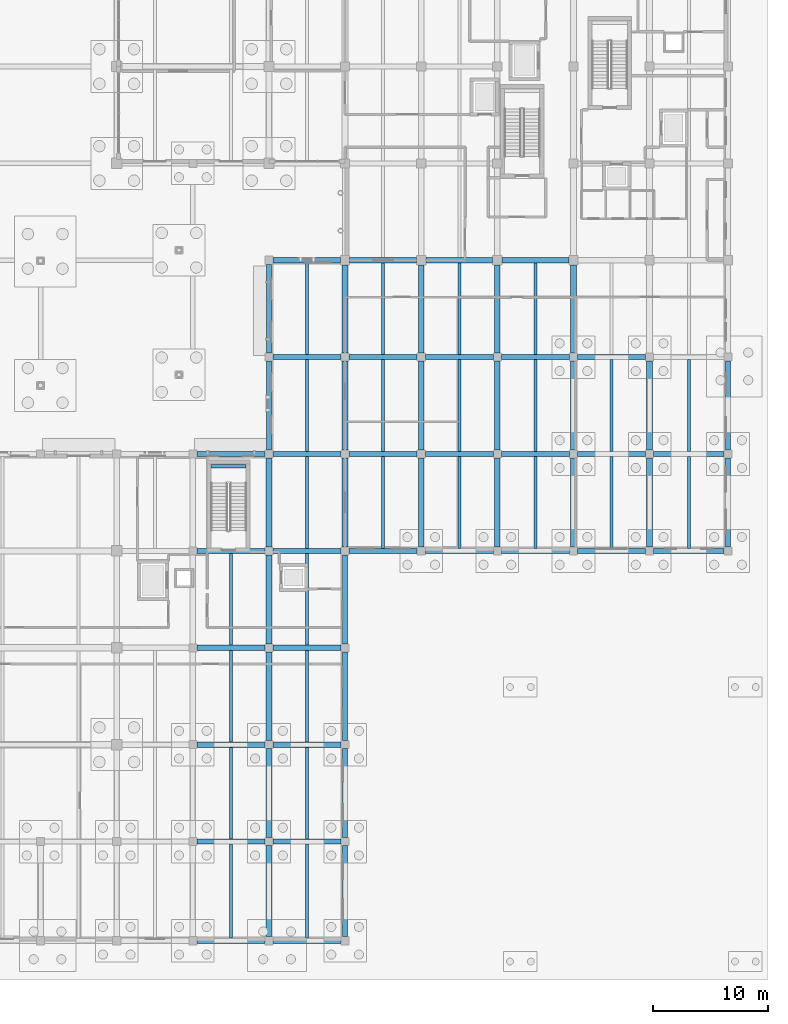
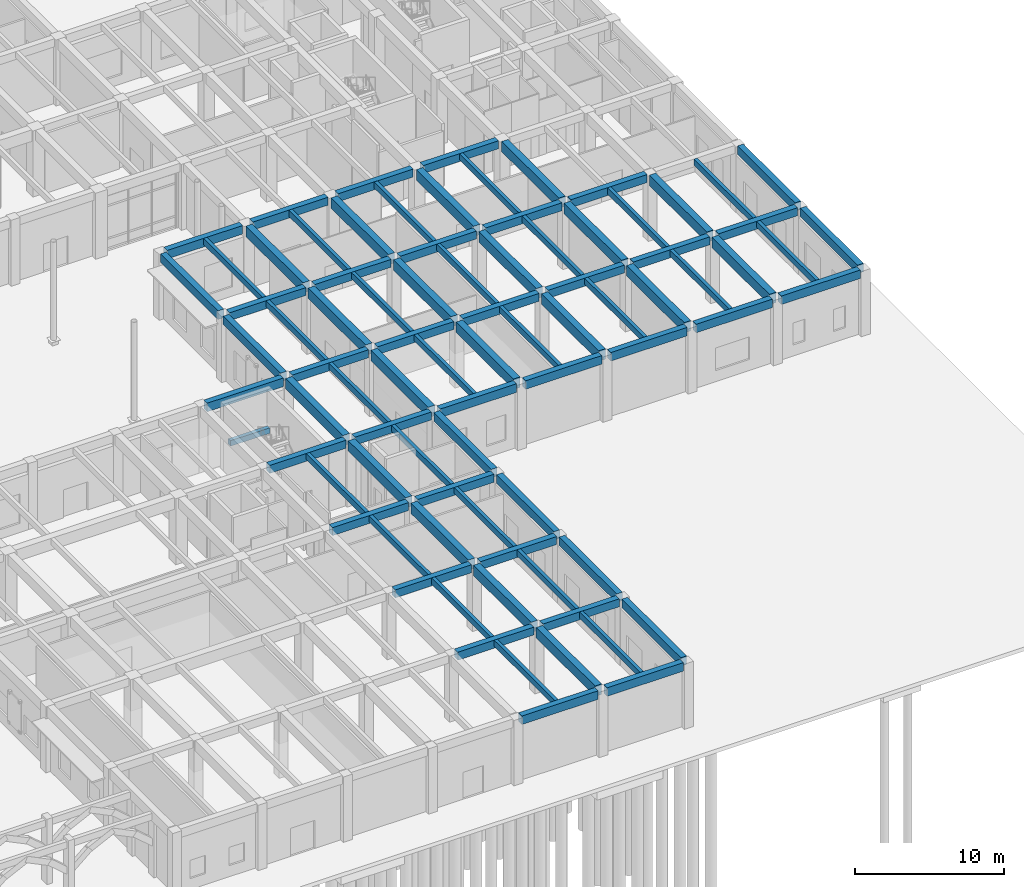
# One storey, part 35 of 82: 83 beams.
"""IFC4 building model written with IfcOpenShell, lengths in metres."""

from ifc_helpers import new_model, si_unit, direction, frame, origin, origin_2d, place, context, subcontext, project, spatial, rectangle, extrude, material, material_profile, profile_set, type_object, element, save


model = new_model("IFC4")

# Units and contexts
model_context = context("Model", 3, precision=1e-05, world=origin(), true_north=direction((0.0, 1.0)))
body_context = subcontext(model_context, "Body", "Model", "MODEL_VIEW")
ifc_project = project(units=[si_unit("LENGTHUNIT", "METRE"), si_unit("AREAUNIT", "SQUARE_METRE"), si_unit("VOLUMEUNIT", "CUBIC_METRE"), si_unit("PLANEANGLEUNIT", "RADIAN"), si_unit("MASSUNIT", "GRAM", prefix="KILO")], contexts=[model_context])

# Site, building, storey
site_placement = place(None, origin())
site = spatial("IfcSite", under=ifc_project, at=site_placement, CompositionType="ELEMENT")
building_placement = place(site_placement, origin())
building = spatial("IfcBuilding", under=site, at=building_placement, Name="Kolvaren Faculty of Natural Sciences", CompositionType="ELEMENT")
storey_placement = place(building_placement, origin())
storey = spatial("IfcBuildingStorey", under=building, at=storey_placement, Name="L00", CompositionType="ELEMENT", Elevation=0.0)

# Beams
ifc_material_1 = material(Name="Concrete C40/50", Category="concrete")
ifc_material_profile_1 = material_profile(ifc_material_1, rectangle(XDim=0.300048828125, YDim=0.449951171875, at=origin_2d()), Name="RC LNT 300x450")
ifc_profile_set_1 = profile_set([ifc_material_profile_1], Name="Concrete C40/50")
beam_type_1 = type_object("IfcBeamType", Name="CoreCouplingLintel_300x450", PredefinedType="LINTEL", material=ifc_profile_set_1)
beam_1_placement = place(storey_placement, frame((127.175048828125, 41.1298828125, 2.27490234375), z_axis=(1.0, 0.0, 0.0), x_axis=(0.0, 1.0, 0.0)))
element("IfcBeam", 1, at=beam_1_placement, inside=storey, type_object=beam_type_1, Name="L00 ST-3 half-landing support lintel", PredefinedType="LINTEL", context=body_context, shape_type="SweptSolid", body=[
    extrude(rectangle(XDim=0.300048828125, YDim=0.449951171875, at=origin_2d()), origin(), (0.0, 0.0, 1.0), 3.050048828125),
])
ifc_material_2 = material(Name="Concrete C35/45", Category="concrete")
ifc_material_profile_2 = material_profile(ifc_material_2, rectangle(XDim=0.449951171875, YDim=0.64990234375, at=origin_2d()), Name="RC BM 450x650")
ifc_profile_set_2 = profile_set([ifc_material_profile_2], Name="Concrete C35/45")
beam_type_2 = type_object("IfcBeamType", Name="GridBeam_450x650", PredefinedType="BEAM", material=ifc_profile_set_2)
beam_2_placement = place(storey_placement, frame((125.949951171875, 8.60009765625, 5.074951171875), z_axis=(1.0, 0.0, 0.0), x_axis=(0.0, 1.0, 0.0)))
element("IfcBeam", 2, at=beam_2_placement, inside=storey, type_object=beam_type_2, Name="L00 beam BM-65 on grid B", PredefinedType="BEAM", context=body_context, shape_type="SweptSolid", body=[
    extrude(rectangle(XDim=0.449951171875, YDim=0.64990234375, at=origin_2d()), origin(), (0.0, 0.0, 1.0), 5.900146484375),
])
beam_3_placement = place(storey_placement, frame((132.550048828125, 8.60009765625, 5.074951171875), z_axis=(1.0, 0.0, 0.0), x_axis=(0.0, 1.0, 0.0)))
element("IfcBeam", 3, at=beam_3_placement, inside=storey, type_object=beam_type_2, Name="L00 beam BM-65 on grid B", PredefinedType="BEAM", context=body_context, shape_type="SweptSolid", body=[
    extrude(rectangle(XDim=0.449951171875, YDim=0.64990234375, at=origin_2d()), origin(), (0.0, 0.0, 1.0), 5.89990234375),
])
beam_4_placement = place(storey_placement, frame((125.949951171875, 17.0, 5.074951171875), z_axis=(1.0, 0.0, 0.0), x_axis=(0.0, 1.0, 0.0)))
element("IfcBeam", 4, at=beam_4_placement, inside=storey, type_object=beam_type_2, Name="L00 beam BM-65 on grid C", PredefinedType="BEAM", context=body_context, shape_type="SweptSolid", body=[
    extrude(rectangle(XDim=0.449951171875, YDim=0.64990234375, at=origin_2d()), origin(), (0.0, 0.0, 1.0), 5.900146484375),
])
beam_5_placement = place(storey_placement, frame((132.550048828125, 17.0, 5.074951171875), z_axis=(1.0, 0.0, 0.0), x_axis=(0.0, 1.0, 0.0)))
element("IfcBeam", 5, at=beam_5_placement, inside=storey, type_object=beam_type_2, Name="L00 beam BM-65 on grid C", PredefinedType="BEAM", context=body_context, shape_type="SweptSolid", body=[
    extrude(rectangle(XDim=0.449951171875, YDim=0.64990234375, at=origin_2d()), origin(), (0.0, 0.0, 1.0), 5.89990234375),
])
beam_6_placement = place(storey_placement, frame((125.949951171875, 25.39990234375, 5.074951171875), z_axis=(1.0, 0.0, 0.0), x_axis=(0.0, 1.0, 0.0)))
element("IfcBeam", 6, at=beam_6_placement, inside=storey, type_object=beam_type_2, Name="L00 beam BM-65 on grid D", PredefinedType="BEAM", context=body_context, shape_type="SweptSolid", body=[
    extrude(rectangle(XDim=0.449951171875, YDim=0.64990234375, at=origin_2d()), origin(), (0.0, 0.0, 1.0), 5.900146484375),
])
beam_7_placement = place(storey_placement, frame((132.550048828125, 25.39990234375, 5.074951171875), z_axis=(1.0, 0.0, 0.0), x_axis=(0.0, 1.0, 0.0)))
element("IfcBeam", 7, at=beam_7_placement, inside=storey, type_object=beam_type_2, Name="L00 beam BM-65 on grid D", PredefinedType="BEAM", context=body_context, shape_type="SweptSolid", body=[
    extrude(rectangle(XDim=0.449951171875, YDim=0.64990234375, at=origin_2d()), origin(), (0.0, 0.0, 1.0), 5.89990234375),
])
beam_8_placement = place(storey_placement, frame((125.949951171875, 33.800048828125, 5.074951171875), z_axis=(1.0, 0.0, 0.0), x_axis=(0.0, 1.0, 0.0)))
element("IfcBeam", 8, at=beam_8_placement, inside=storey, type_object=beam_type_2, Name="L00 beam BM-65 on grid E", PredefinedType="BEAM", context=body_context, shape_type="SweptSolid", body=[
    extrude(rectangle(XDim=0.449951171875, YDim=0.64990234375, at=origin_2d()), origin(), (0.0, 0.0, 1.0), 5.900146484375),
])
for number, where, z_axis, x_axis, name in (
    (9, (132.550048828125, 33.800048828125, 5.074951171875), (1.0, 0.0, 0.0), (0.0, 1.0, 0.0), "L00 beam BM-65 on grid E"),
    (10, (132.550048828125, 42.199951171875, 5.074951171875), (1.0, 0.0, 0.0), (0.0, 1.0, 0.0), "L00 beam BM-65 on grid F"),
):
    element("IfcBeam", number, at=place(storey_placement, frame(where, z_axis=z_axis, x_axis=x_axis)), inside=storey, type_object=beam_type_2, Name=name, PredefinedType="BEAM", context=body_context, shape_type="SweptSolid", body=[
        extrude(rectangle(XDim=0.449951171875, YDim=0.64990234375, at=origin_2d()), origin(), (0.0, 0.0, 1.0), 5.89990234375),
    ])
beam_9_placement = place(storey_placement, frame((139.14990234375, 42.199951171875, 5.074951171875), z_axis=(1.0, 0.0, 0.0), x_axis=(0.0, 1.0, 0.0)))
element("IfcBeam", 11, at=beam_9_placement, inside=storey, type_object=beam_type_2, Name="L00 beam BM-65 on grid F", PredefinedType="BEAM", context=body_context, shape_type="SweptSolid", body=[
    extrude(rectangle(XDim=0.449951171875, YDim=0.64990234375, at=origin_2d()), origin(), (0.0, 0.0, 1.0), 5.900146484375),
])
for number, where, z_axis, x_axis, name in (
    (12, (145.75, 42.199951171875, 5.074951171875), (1.0, 0.0, 0.0), (0.0, 1.0, 0.0), "L00 beam BM-65 on grid F"),
    (13, (152.35009765625, 42.199951171875, 5.074951171875), (1.0, 0.0, 0.0), (0.0, 1.0, 0.0), "L00 beam BM-65 on grid F"),
):
    element("IfcBeam", number, at=place(storey_placement, frame(where, z_axis=z_axis, x_axis=x_axis)), inside=storey, type_object=beam_type_2, Name=name, PredefinedType="BEAM", context=body_context, shape_type="SweptSolid", body=[
        extrude(rectangle(XDim=0.449951171875, YDim=0.64990234375, at=origin_2d()), origin(), (0.0, 0.0, 1.0), 5.89990234375),
    ])
beam_10_placement = place(storey_placement, frame((158.949951171875, 42.199951171875, 5.074951171875), z_axis=(1.0, 0.0, 0.0), x_axis=(0.0, 1.0, 0.0)))
element("IfcBeam", 14, at=beam_10_placement, inside=storey, type_object=beam_type_2, Name="L00 beam BM-65 on grid F", PredefinedType="BEAM", context=body_context, shape_type="SweptSolid", body=[
    extrude(rectangle(XDim=0.449951171875, YDim=0.64990234375, at=origin_2d()), origin(), (0.0, 0.0, 1.0), 5.900146484375),
])
beam_11_placement = place(storey_placement, frame((165.550048828125, 42.199951171875, 5.074951171875), z_axis=(1.0, 0.0, 0.0), x_axis=(0.0, 1.0, 0.0)))
element("IfcBeam", 15, at=beam_11_placement, inside=storey, type_object=beam_type_2, Name="L00 beam BM-65 on grid F", PredefinedType="BEAM", context=body_context, shape_type="SweptSolid", body=[
    extrude(rectangle(XDim=0.449951171875, YDim=0.64990234375, at=origin_2d()), origin(), (0.0, 0.0, 1.0), 6.099853515625),
])
beam_12_placement = place(storey_placement, frame((132.550048828125, 50.60009765625, 5.074951171875), z_axis=(1.0, 0.0, 0.0), x_axis=(0.0, 1.0, 0.0)))
element("IfcBeam", 16, at=beam_12_placement, inside=storey, type_object=beam_type_2, Name="L00 beam BM-65 on grid G", PredefinedType="BEAM", context=body_context, shape_type="SweptSolid", body=[
    extrude(rectangle(XDim=0.449951171875, YDim=0.64990234375, at=origin_2d()), origin(), (0.0, 0.0, 1.0), 5.89990234375),
])
beam_13_placement = place(storey_placement, frame((139.14990234375, 50.60009765625, 5.074951171875), z_axis=(1.0, 0.0, 0.0), x_axis=(0.0, 1.0, 0.0)))
element("IfcBeam", 17, at=beam_13_placement, inside=storey, type_object=beam_type_2, Name="L00 beam BM-65 on grid G", PredefinedType="BEAM", context=body_context, shape_type="SweptSolid", body=[
    extrude(rectangle(XDim=0.449951171875, YDim=0.64990234375, at=origin_2d()), origin(), (0.0, 0.0, 1.0), 5.900146484375),
])
for number, where, z_axis, x_axis, name in (
    (18, (145.75, 50.60009765625, 5.074951171875), (1.0, 0.0, 0.0), (0.0, 1.0, 0.0), "L00 beam BM-65 on grid G"),
    (19, (152.35009765625, 50.60009765625, 5.074951171875), (1.0, 0.0, 0.0), (0.0, 1.0, 0.0), "L00 beam BM-65 on grid G"),
):
    element("IfcBeam", number, at=place(storey_placement, frame(where, z_axis=z_axis, x_axis=x_axis)), inside=storey, type_object=beam_type_2, Name=name, PredefinedType="BEAM", context=body_context, shape_type="SweptSolid", body=[
        extrude(rectangle(XDim=0.449951171875, YDim=0.64990234375, at=origin_2d()), origin(), (0.0, 0.0, 1.0), 5.89990234375),
    ])
beam_14_placement = place(storey_placement, frame((158.949951171875, 50.60009765625, 5.074951171875), z_axis=(1.0, 0.0, 0.0), x_axis=(0.0, 1.0, 0.0)))
element("IfcBeam", 20, at=beam_14_placement, inside=storey, type_object=beam_type_2, Name="L00 beam BM-65 on grid G", PredefinedType="BEAM", context=body_context, shape_type="SweptSolid", body=[
    extrude(rectangle(XDim=0.449951171875, YDim=0.64990234375, at=origin_2d()), origin(), (0.0, 0.0, 1.0), 5.900146484375),
])
for number, where, z_axis, x_axis, name in (
    (21, (139.199951171875, 59.0, 5.074951171875), (1.0, 0.0, 0.0), (0.0, 1.0, 0.0), "L00 beam BM-65 on grid H"),
    (22, (145.800048828125, 59.0, 5.074951171875), (1.0, 0.0, 0.0), (0.0, 1.0, 0.0), "L00 beam BM-65 on grid H"),
    (23, (152.39990234375, 59.0, 5.074951171875), (1.0, 0.0, 0.0), (0.0, 1.0, 0.0), "L00 beam BM-65 on grid H"),
):
    element("IfcBeam", number, at=place(storey_placement, frame(where, z_axis=z_axis, x_axis=x_axis)), inside=storey, type_object=beam_type_2, Name=name, PredefinedType="BEAM", context=body_context, shape_type="SweptSolid", body=[
        extrude(rectangle(XDim=0.449951171875, YDim=0.64990234375, at=origin_2d()), origin(), (0.0, 0.0, 1.0), 5.800048828125),
    ])
ifc_material_profile_3 = material_profile(ifc_material_2, rectangle(XDim=0.260009765625, YDim=0.5, at=origin_2d()), Name="RC JST 260x500")
ifc_profile_set_3 = profile_set([ifc_material_profile_3], Name="Concrete C35/45")
beam_type_3 = type_object("IfcBeamType", Name="LabRibJoist_260x500", PredefinedType="JOIST", material=ifc_profile_set_3)
beam_15_placement = place(storey_placement, frame((128.89990234375, 0.22509765625, 5.14990234375), z_axis=(0.0, 1.0, 0.0), x_axis=(-1.0, 0.0, 0.0)))
element("IfcBeam", 24, at=beam_15_placement, inside=storey, type_object=beam_type_3, Name="L00 ribbed laboratory slab joist JS-50", PredefinedType="JOIST", context=body_context, shape_type="SweptSolid", body=[
    extrude(rectangle(XDim=0.260009765625, YDim=0.5, at=origin_2d()), origin(), (0.0, 0.0, 1.0), 8.14990234375),
])
for number, where, z_axis, x_axis, name in (
    (25, (128.89990234375, 8.824951171875, 5.14990234375), (0.0, 1.0, 0.0), (-1.0, 0.0, 0.0), "L00 ribbed laboratory slab joist JS-50"),
    (26, (128.89990234375, 17.22509765625, 5.14990234375), (0.0, 1.0, 0.0), (-1.0, 0.0, 0.0), "L00 ribbed laboratory slab joist JS-50"),
    (27, (128.89990234375, 25.625, 5.14990234375), (0.0, 1.0, 0.0), (-1.0, 0.0, 0.0), "L00 ribbed laboratory slab joist JS-50"),
):
    element("IfcBeam", number, at=place(storey_placement, frame(where, z_axis=z_axis, x_axis=x_axis)), inside=storey, type_object=beam_type_3, Name=name, PredefinedType="JOIST", context=body_context, shape_type="SweptSolid", body=[
        extrude(rectangle(XDim=0.260009765625, YDim=0.5, at=origin_2d()), origin(), (0.0, 0.0, 1.0), 7.949951171875),
    ])
beam_16_placement = place(storey_placement, frame((135.5, 0.22509765625, 5.14990234375), z_axis=(0.0, 1.0, 0.0), x_axis=(-1.0, 0.0, 0.0)))
element("IfcBeam", 28, at=beam_16_placement, inside=storey, type_object=beam_type_3, Name="L00 ribbed laboratory slab joist JS-50", PredefinedType="JOIST", context=body_context, shape_type="SweptSolid", body=[
    extrude(rectangle(XDim=0.260009765625, YDim=0.5, at=origin_2d()), origin(), (0.0, 0.0, 1.0), 8.14990234375),
])
for number, where, z_axis, x_axis, name in (
    (29, (135.5, 8.824951171875, 5.14990234375), (0.0, 1.0, 0.0), (-1.0, 0.0, 0.0), "L00 ribbed laboratory slab joist JS-50"),
    (30, (135.5, 17.22509765625, 5.14990234375), (0.0, 1.0, 0.0), (-1.0, 0.0, 0.0), "L00 ribbed laboratory slab joist JS-50"),
    (31, (135.5, 25.625, 5.14990234375), (0.0, 1.0, 0.0), (-1.0, 0.0, 0.0), "L00 ribbed laboratory slab joist JS-50"),
):
    element("IfcBeam", number, at=place(storey_placement, frame(where, z_axis=z_axis, x_axis=x_axis)), inside=storey, type_object=beam_type_3, Name=name, PredefinedType="JOIST", context=body_context, shape_type="SweptSolid", body=[
        extrude(rectangle(XDim=0.260009765625, YDim=0.5, at=origin_2d()), origin(), (0.0, 0.0, 1.0), 7.949951171875),
    ])
beam_17_placement = place(storey_placement, frame((135.5, 34.02490234375, 5.14990234375), z_axis=(0.0, 1.0, 0.0), x_axis=(-1.0, 0.0, 0.0)))
element("IfcBeam", 32, at=beam_17_placement, inside=storey, type_object=beam_type_3, Name="L00 ribbed laboratory slab joist JS-50", PredefinedType="JOIST", context=body_context, shape_type="SweptSolid", body=[
    extrude(rectangle(XDim=0.260009765625, YDim=0.5, at=origin_2d()), origin(), (0.0, 0.0, 1.0), 7.9501953125),
])
for number, where, z_axis, x_axis, name in (
    (33, (135.5, 42.425048828125, 5.14990234375), (0.0, 1.0, 0.0), (-1.0, 0.0, 0.0), "L00 ribbed laboratory slab joist JS-50"),
    (34, (135.5, 50.824951171875, 5.14990234375), (0.0, 1.0, 0.0), (-1.0, 0.0, 0.0), "L00 ribbed laboratory slab joist JS-50"),
):
    element("IfcBeam", number, at=place(storey_placement, frame(where, z_axis=z_axis, x_axis=x_axis)), inside=storey, type_object=beam_type_3, Name=name, PredefinedType="JOIST", context=body_context, shape_type="SweptSolid", body=[
        extrude(rectangle(XDim=0.260009765625, YDim=0.5, at=origin_2d()), origin(), (0.0, 0.0, 1.0), 7.949951171875),
    ])
beam_18_placement = place(storey_placement, frame((142.10009765625, 34.02490234375, 5.14990234375), z_axis=(0.0, 1.0, 0.0), x_axis=(-1.0, 0.0, 0.0)))
element("IfcBeam", 35, at=beam_18_placement, inside=storey, type_object=beam_type_3, Name="L00 ribbed laboratory slab joist JS-50", PredefinedType="JOIST", context=body_context, shape_type="SweptSolid", body=[
    extrude(rectangle(XDim=0.260009765625, YDim=0.5, at=origin_2d()), origin(), (0.0, 0.0, 1.0), 7.9501953125),
])
for number, where, z_axis, x_axis, name in (
    (36, (142.10009765625, 42.425048828125, 5.14990234375), (0.0, 1.0, 0.0), (-1.0, 0.0, 0.0), "L00 ribbed laboratory slab joist JS-50"),
    (37, (142.10009765625, 50.824951171875, 5.14990234375), (0.0, 1.0, 0.0), (-1.0, 0.0, 0.0), "L00 ribbed laboratory slab joist JS-50"),
):
    element("IfcBeam", number, at=place(storey_placement, frame(where, z_axis=z_axis, x_axis=x_axis)), inside=storey, type_object=beam_type_3, Name=name, PredefinedType="JOIST", context=body_context, shape_type="SweptSolid", body=[
        extrude(rectangle(XDim=0.260009765625, YDim=0.5, at=origin_2d()), origin(), (0.0, 0.0, 1.0), 7.949951171875),
    ])
beam_19_placement = place(storey_placement, frame((148.699951171875, 34.02490234375, 5.14990234375), z_axis=(0.0, 1.0, 0.0), x_axis=(-1.0, 0.0, 0.0)))
element("IfcBeam", 38, at=beam_19_placement, inside=storey, type_object=beam_type_3, Name="L00 ribbed laboratory slab joist JS-50", PredefinedType="JOIST", context=body_context, shape_type="SweptSolid", body=[
    extrude(rectangle(XDim=0.260009765625, YDim=0.5, at=origin_2d()), origin(), (0.0, 0.0, 1.0), 7.9501953125),
])
for number, where, z_axis, x_axis, name in (
    (39, (148.699951171875, 42.425048828125, 5.14990234375), (0.0, 1.0, 0.0), (-1.0, 0.0, 0.0), "L00 ribbed laboratory slab joist JS-50"),
    (40, (148.699951171875, 50.824951171875, 5.14990234375), (0.0, 1.0, 0.0), (-1.0, 0.0, 0.0), "L00 ribbed laboratory slab joist JS-50"),
):
    element("IfcBeam", number, at=place(storey_placement, frame(where, z_axis=z_axis, x_axis=x_axis)), inside=storey, type_object=beam_type_3, Name=name, PredefinedType="JOIST", context=body_context, shape_type="SweptSolid", body=[
        extrude(rectangle(XDim=0.260009765625, YDim=0.5, at=origin_2d()), origin(), (0.0, 0.0, 1.0), 7.949951171875),
    ])
beam_20_placement = place(storey_placement, frame((155.300048828125, 34.02490234375, 5.14990234375), z_axis=(0.0, 1.0, 0.0), x_axis=(-1.0, 0.0, 0.0)))
element("IfcBeam", 41, at=beam_20_placement, inside=storey, type_object=beam_type_3, Name="L00 ribbed laboratory slab joist JS-50", PredefinedType="JOIST", context=body_context, shape_type="SweptSolid", body=[
    extrude(rectangle(XDim=0.260009765625, YDim=0.5, at=origin_2d()), origin(), (0.0, 0.0, 1.0), 7.9501953125),
])
for number, where, z_axis, x_axis, name in (
    (42, (155.300048828125, 42.425048828125, 5.14990234375), (0.0, 1.0, 0.0), (-1.0, 0.0, 0.0), "L00 ribbed laboratory slab joist JS-50"),
    (43, (155.300048828125, 50.824951171875, 5.14990234375), (0.0, 1.0, 0.0), (-1.0, 0.0, 0.0), "L00 ribbed laboratory slab joist JS-50"),
):
    element("IfcBeam", number, at=place(storey_placement, frame(where, z_axis=z_axis, x_axis=x_axis)), inside=storey, type_object=beam_type_3, Name=name, PredefinedType="JOIST", context=body_context, shape_type="SweptSolid", body=[
        extrude(rectangle(XDim=0.260009765625, YDim=0.5, at=origin_2d()), origin(), (0.0, 0.0, 1.0), 7.949951171875),
    ])
beam_21_placement = place(storey_placement, frame((161.89990234375, 34.02490234375, 5.14990234375), z_axis=(0.0, 1.0, 0.0), x_axis=(-1.0, 0.0, 0.0)))
element("IfcBeam", 44, at=beam_21_placement, inside=storey, type_object=beam_type_3, Name="L00 ribbed laboratory slab joist JS-50", PredefinedType="JOIST", context=body_context, shape_type="SweptSolid", body=[
    extrude(rectangle(XDim=0.260009765625, YDim=0.5, at=origin_2d()), origin(), (0.0, 0.0, 1.0), 7.9501953125),
])
beam_22_placement = place(storey_placement, frame((161.89990234375, 42.425048828125, 5.14990234375), z_axis=(0.0, 1.0, 0.0), x_axis=(-1.0, 0.0, 0.0)))
element("IfcBeam", 45, at=beam_22_placement, inside=storey, type_object=beam_type_3, Name="L00 ribbed laboratory slab joist JS-50", PredefinedType="JOIST", context=body_context, shape_type="SweptSolid", body=[
    extrude(rectangle(XDim=0.260009765625, YDim=0.5, at=origin_2d()), origin(), (0.0, 0.0, 1.0), 7.949951171875),
])
beam_23_placement = place(storey_placement, frame((168.60009765625, 34.02490234375, 5.14990234375), z_axis=(0.0, 1.0, 0.0), x_axis=(-1.0, 0.0, 0.0)))
element("IfcBeam", 46, at=beam_23_placement, inside=storey, type_object=beam_type_3, Name="L00 ribbed laboratory slab joist JS-50", PredefinedType="JOIST", context=body_context, shape_type="SweptSolid", body=[
    extrude(rectangle(XDim=0.260009765625, YDim=0.5, at=origin_2d()), origin(), (0.0, 0.0, 1.0), 7.9501953125),
])
beam_24_placement = place(storey_placement, frame((168.60009765625, 42.425048828125, 5.14990234375), z_axis=(0.0, 1.0, 0.0), x_axis=(-1.0, 0.0, 0.0)))
element("IfcBeam", 47, at=beam_24_placement, inside=storey, type_object=beam_type_3, Name="L00 ribbed laboratory slab joist JS-50", PredefinedType="JOIST", context=body_context, shape_type="SweptSolid", body=[
    extrude(rectangle(XDim=0.260009765625, YDim=0.5, at=origin_2d()), origin(), (0.0, 0.0, 1.0), 7.949951171875),
])
ifc_material_profile_4 = material_profile(ifc_material_2, rectangle(XDim=0.449951171875, YDim=0.699951171875, at=origin_2d()), Name="RC SP 450x700")
ifc_profile_set_4 = profile_set([ifc_material_profile_4], Name="Concrete C35/45")
beam_type_4 = type_object("IfcBeamType", Name="PerimeterSpandrel_450x700", PredefinedType="SPANDREL", material=ifc_profile_set_4)
beam_25_placement = place(storey_placement, frame((125.949951171875, 0.0, 5.050048828125), z_axis=(1.0, 0.0, 0.0), x_axis=(0.0, 1.0, 0.0)))
element("IfcBeam", 48, at=beam_25_placement, inside=storey, type_object=beam_type_4, Name="L00 spandrel SP-70 on grid A", PredefinedType="SPANDREL", context=body_context, shape_type="SweptSolid", body=[
    extrude(rectangle(XDim=0.449951171875, YDim=0.699951171875, at=origin_2d()), origin(), (0.0, 0.0, 1.0), 5.900146484375),
])
beam_26_placement = place(storey_placement, frame((132.550048828125, 0.0, 5.050048828125), z_axis=(1.0, 0.0, 0.0), x_axis=(0.0, 1.0, 0.0)))
element("IfcBeam", 49, at=beam_26_placement, inside=storey, type_object=beam_type_4, Name="L00 spandrel SP-70 on grid A", PredefinedType="SPANDREL", context=body_context, shape_type="SweptSolid", body=[
    extrude(rectangle(XDim=0.449951171875, YDim=0.699951171875, at=origin_2d()), origin(), (0.0, 0.0, 1.0), 5.89990234375),
])
beam_27_placement = place(storey_placement, frame((139.14990234375, 33.800048828125, 5.050048828125), z_axis=(1.0, 0.0, 0.0), x_axis=(0.0, 1.0, 0.0)))
element("IfcBeam", 50, at=beam_27_placement, inside=storey, type_object=beam_type_4, Name="L00 spandrel SP-70 on grid E", PredefinedType="SPANDREL", context=body_context, shape_type="SweptSolid", body=[
    extrude(rectangle(XDim=0.449951171875, YDim=0.699951171875, at=origin_2d()), origin(), (0.0, 0.0, 1.0), 5.900146484375),
])
for number, where, z_axis, x_axis, name in (
    (51, (145.75, 33.800048828125, 5.050048828125), (1.0, 0.0, 0.0), (0.0, 1.0, 0.0), "L00 spandrel SP-70 on grid E"),
    (52, (152.35009765625, 33.800048828125, 5.050048828125), (1.0, 0.0, 0.0), (0.0, 1.0, 0.0), "L00 spandrel SP-70 on grid E"),
):
    element("IfcBeam", number, at=place(storey_placement, frame(where, z_axis=z_axis, x_axis=x_axis)), inside=storey, type_object=beam_type_4, Name=name, PredefinedType="SPANDREL", context=body_context, shape_type="SweptSolid", body=[
        extrude(rectangle(XDim=0.449951171875, YDim=0.699951171875, at=origin_2d()), origin(), (0.0, 0.0, 1.0), 5.89990234375),
    ])
beam_28_placement = place(storey_placement, frame((158.949951171875, 33.800048828125, 5.050048828125), z_axis=(1.0, 0.0, 0.0), x_axis=(0.0, 1.0, 0.0)))
element("IfcBeam", 53, at=beam_28_placement, inside=storey, type_object=beam_type_4, Name="L00 spandrel SP-70 on grid E", PredefinedType="SPANDREL", context=body_context, shape_type="SweptSolid", body=[
    extrude(rectangle(XDim=0.449951171875, YDim=0.699951171875, at=origin_2d()), origin(), (0.0, 0.0, 1.0), 5.900146484375),
])
beam_29_placement = place(storey_placement, frame((165.550048828125, 33.800048828125, 5.050048828125), z_axis=(1.0, 0.0, 0.0), x_axis=(0.0, 1.0, 0.0)))
element("IfcBeam", 54, at=beam_29_placement, inside=storey, type_object=beam_type_4, Name="L00 spandrel SP-70 on grid E", PredefinedType="SPANDREL", context=body_context, shape_type="SweptSolid", body=[
    extrude(rectangle(XDim=0.449951171875, YDim=0.699951171875, at=origin_2d()), origin(), (0.0, 0.0, 1.0), 6.099853515625),
])
beam_30_placement = place(storey_placement, frame((125.949951171875, 42.199951171875, 5.050048828125), z_axis=(1.0, 0.0, 0.0), x_axis=(0.0, 1.0, 0.0)))
element("IfcBeam", 55, at=beam_30_placement, inside=storey, type_object=beam_type_4, Name="L00 spandrel SP-70 on grid F", PredefinedType="SPANDREL", context=body_context, shape_type="SweptSolid", body=[
    extrude(rectangle(XDim=0.449951171875, YDim=0.699951171875, at=origin_2d()), origin(), (0.0, 0.0, 1.0), 5.900146484375),
])
beam_31_placement = place(storey_placement, frame((132.550048828125, 59.0, 5.050048828125), z_axis=(1.0, 0.0, 0.0), x_axis=(0.0, 1.0, 0.0)))
element("IfcBeam", 56, at=beam_31_placement, inside=storey, type_object=beam_type_4, Name="L00 spandrel SP-70 on grid H", PredefinedType="SPANDREL", context=body_context, shape_type="SweptSolid", body=[
    extrude(rectangle(XDim=0.449951171875, YDim=0.699951171875, at=origin_2d()), origin(), (0.0, 0.0, 1.0), 5.849853515625),
])
for number, where, z_axis, x_axis, name in (
    (57, (132.199951171875, 42.550048828125, 5.050048828125), (0.0, 1.0, 0.0), (-1.0, 0.0, 0.0), "L00 girder SP-70 on grid 21"),
    (58, (132.199951171875, 50.949951171875, 5.050048828125), (0.0, 1.0, 0.0), (-1.0, 0.0, 0.0), "L00 girder SP-70 on grid 21"),
):
    element("IfcBeam", number, at=place(storey_placement, frame(where, z_axis=z_axis, x_axis=x_axis)), inside=storey, type_object=beam_type_4, Name=name, PredefinedType="SPANDREL", context=body_context, shape_type="SweptSolid", body=[
        extrude(rectangle(XDim=0.449951171875, YDim=0.699951171875, at=origin_2d()), origin(), (0.0, 0.0, 1.0), 7.699951171875),
    ])
beam_32_placement = place(storey_placement, frame((138.800048828125, 0.35009765625, 5.050048828125), z_axis=(0.0, 1.0, 0.0), x_axis=(-1.0, 0.0, 0.0)))
element("IfcBeam", 59, at=beam_32_placement, inside=storey, type_object=beam_type_4, Name="L00 girder SP-70 on grid 22", PredefinedType="SPANDREL", context=body_context, shape_type="SweptSolid", body=[
    extrude(rectangle(XDim=0.449951171875, YDim=0.699951171875, at=origin_2d()), origin(), (0.0, 0.0, 1.0), 7.89990234375),
])
for number, where, z_axis, x_axis, name in (
    (60, (138.800048828125, 8.949951171875, 5.050048828125), (0.0, 1.0, 0.0), (-1.0, 0.0, 0.0), "L00 girder SP-70 on grid 22"),
    (61, (138.800048828125, 17.35009765625, 5.050048828125), (0.0, 1.0, 0.0), (-1.0, 0.0, 0.0), "L00 girder SP-70 on grid 22"),
    (62, (138.800048828125, 25.75, 5.050048828125), (0.0, 1.0, 0.0), (-1.0, 0.0, 0.0), "L00 girder SP-70 on grid 22"),
):
    element("IfcBeam", number, at=place(storey_placement, frame(where, z_axis=z_axis, x_axis=x_axis)), inside=storey, type_object=beam_type_4, Name=name, PredefinedType="SPANDREL", context=body_context, shape_type="SweptSolid", body=[
        extrude(rectangle(XDim=0.449951171875, YDim=0.699951171875, at=origin_2d()), origin(), (0.0, 0.0, 1.0), 7.699951171875),
    ])
beam_33_placement = place(storey_placement, frame((172.0, 34.14990234375, 5.050048828125), z_axis=(0.0, 1.0, 0.0), x_axis=(-1.0, 0.0, 0.0)))
element("IfcBeam", 63, at=beam_33_placement, inside=storey, type_object=beam_type_4, Name="L00 girder SP-70 on grid 27", PredefinedType="SPANDREL", context=body_context, shape_type="SweptSolid", body=[
    extrude(rectangle(XDim=0.449951171875, YDim=0.699951171875, at=origin_2d()), origin(), (0.0, 0.0, 1.0), 7.7001953125),
])
beam_34_placement = place(storey_placement, frame((172.0, 42.550048828125, 5.050048828125), z_axis=(0.0, 1.0, 0.0), x_axis=(-1.0, 0.0, 0.0)))
element("IfcBeam", 64, at=beam_34_placement, inside=storey, type_object=beam_type_4, Name="L00 girder SP-70 on grid 27", PredefinedType="SPANDREL", context=body_context, shape_type="SweptSolid", body=[
    extrude(rectangle(XDim=0.449951171875, YDim=0.699951171875, at=origin_2d()), origin(), (0.0, 0.0, 1.0), 7.699951171875),
])
ifc_material_profile_5 = material_profile(ifc_material_2, rectangle(XDim=0.5, YDim=0.85009765625, at=origin_2d()), Name="RC BM 500x850")
ifc_profile_set_5 = profile_set([ifc_material_profile_5], Name="Concrete C35/45")
beam_type_5 = type_object("IfcBeamType", Name="PrimaryGirder_500x850", PredefinedType="BEAM", material=ifc_profile_set_5)
beam_35_placement = place(storey_placement, frame((132.199951171875, 0.35009765625, 4.97509765625), z_axis=(0.0, 1.0, 0.0), x_axis=(-1.0, 0.0, 0.0)))
element("IfcBeam", 65, at=beam_35_placement, inside=storey, type_object=beam_type_5, Name="L00 girder BG-85 on grid 21", PredefinedType="BEAM", context=body_context, shape_type="SweptSolid", body=[
    extrude(rectangle(XDim=0.5, YDim=0.85009765625, at=origin_2d()), origin(), (0.0, 0.0, 1.0), 7.89990234375),
])
for number, where, z_axis, x_axis, name in (
    (66, (132.199951171875, 8.949951171875, 4.97509765625), (0.0, 1.0, 0.0), (-1.0, 0.0, 0.0), "L00 girder BG-85 on grid 21"),
    (67, (132.199951171875, 17.35009765625, 4.97509765625), (0.0, 1.0, 0.0), (-1.0, 0.0, 0.0), "L00 girder BG-85 on grid 21"),
    (68, (132.199951171875, 25.75, 4.97509765625), (0.0, 1.0, 0.0), (-1.0, 0.0, 0.0), "L00 girder BG-85 on grid 21"),
):
    element("IfcBeam", number, at=place(storey_placement, frame(where, z_axis=z_axis, x_axis=x_axis)), inside=storey, type_object=beam_type_5, Name=name, PredefinedType="BEAM", context=body_context, shape_type="SweptSolid", body=[
        extrude(rectangle(XDim=0.5, YDim=0.85009765625, at=origin_2d()), origin(), (0.0, 0.0, 1.0), 7.699951171875),
    ])
for number, where, z_axis, x_axis, name in (
    (69, (132.199951171875, 34.14990234375, 4.97509765625), (0.0, 1.0, 0.0), (-1.0, 0.0, 0.0), "L00 girder BG-85 on grid 21"),
    (70, (138.800048828125, 34.14990234375, 4.97509765625), (0.0, 1.0, 0.0), (-1.0, 0.0, 0.0), "L00 girder BG-85 on grid 22"),
):
    element("IfcBeam", number, at=place(storey_placement, frame(where, z_axis=z_axis, x_axis=x_axis)), inside=storey, type_object=beam_type_5, Name=name, PredefinedType="BEAM", context=body_context, shape_type="SweptSolid", body=[
        extrude(rectangle(XDim=0.5, YDim=0.85009765625, at=origin_2d()), origin(), (0.0, 0.0, 1.0), 7.7001953125),
    ])
beam_36_placement = place(storey_placement, frame((138.800048828125, 42.550048828125, 4.97509765625), z_axis=(0.0, 1.0, 0.0), x_axis=(-1.0, 0.0, 0.0)))
element("IfcBeam", 71, at=beam_36_placement, inside=storey, type_object=beam_type_5, Name="L00 girder BG-85 on grid 22", PredefinedType="BEAM", context=body_context, shape_type="SweptSolid", body=[
    extrude(rectangle(XDim=0.5, YDim=0.85009765625, at=origin_2d()), origin(), (0.0, 0.0, 1.0), 7.699951171875),
])
beam_37_placement = place(storey_placement, frame((138.800048828125, 50.949951171875, 4.97509765625), z_axis=(0.0, 1.0, 0.0), x_axis=(-1.0, 0.0, 0.0)))
element("IfcBeam", 72, at=beam_37_placement, inside=storey, type_object=beam_type_5, Name="L00 girder BG-85 on grid 22", PredefinedType="BEAM", context=body_context, shape_type="SweptSolid", body=[
    extrude(rectangle(XDim=0.5, YDim=0.85009765625, at=origin_2d()), origin(), (0.0, 0.0, 1.0), 7.650146484375),
])
beam_38_placement = place(storey_placement, frame((145.39990234375, 34.14990234375, 4.97509765625), z_axis=(0.0, 1.0, 0.0), x_axis=(-1.0, 0.0, 0.0)))
element("IfcBeam", 73, at=beam_38_placement, inside=storey, type_object=beam_type_5, Name="L00 girder BG-85 on grid 23", PredefinedType="BEAM", context=body_context, shape_type="SweptSolid", body=[
    extrude(rectangle(XDim=0.5, YDim=0.85009765625, at=origin_2d()), origin(), (0.0, 0.0, 1.0), 7.7001953125),
])
beam_39_placement = place(storey_placement, frame((145.39990234375, 42.550048828125, 4.97509765625), z_axis=(0.0, 1.0, 0.0), x_axis=(-1.0, 0.0, 0.0)))
element("IfcBeam", 74, at=beam_39_placement, inside=storey, type_object=beam_type_5, Name="L00 girder BG-85 on grid 23", PredefinedType="BEAM", context=body_context, shape_type="SweptSolid", body=[
    extrude(rectangle(XDim=0.5, YDim=0.85009765625, at=origin_2d()), origin(), (0.0, 0.0, 1.0), 7.699951171875),
])
beam_40_placement = place(storey_placement, frame((145.39990234375, 50.949951171875, 4.97509765625), z_axis=(0.0, 1.0, 0.0), x_axis=(-1.0, 0.0, 0.0)))
element("IfcBeam", 75, at=beam_40_placement, inside=storey, type_object=beam_type_5, Name="L00 girder BG-85 on grid 23", PredefinedType="BEAM", context=body_context, shape_type="SweptSolid", body=[
    extrude(rectangle(XDim=0.5, YDim=0.85009765625, at=origin_2d()), origin(), (0.0, 0.0, 1.0), 7.650146484375),
])
beam_41_placement = place(storey_placement, frame((152.0, 34.14990234375, 4.97509765625), z_axis=(0.0, 1.0, 0.0), x_axis=(-1.0, 0.0, 0.0)))
element("IfcBeam", 76, at=beam_41_placement, inside=storey, type_object=beam_type_5, Name="L00 girder BG-85 on grid 24", PredefinedType="BEAM", context=body_context, shape_type="SweptSolid", body=[
    extrude(rectangle(XDim=0.5, YDim=0.85009765625, at=origin_2d()), origin(), (0.0, 0.0, 1.0), 7.7001953125),
])
beam_42_placement = place(storey_placement, frame((152.0, 42.550048828125, 4.97509765625), z_axis=(0.0, 1.0, 0.0), x_axis=(-1.0, 0.0, 0.0)))
element("IfcBeam", 77, at=beam_42_placement, inside=storey, type_object=beam_type_5, Name="L00 girder BG-85 on grid 24", PredefinedType="BEAM", context=body_context, shape_type="SweptSolid", body=[
    extrude(rectangle(XDim=0.5, YDim=0.85009765625, at=origin_2d()), origin(), (0.0, 0.0, 1.0), 7.699951171875),
])
beam_43_placement = place(storey_placement, frame((152.0, 50.949951171875, 4.97509765625), z_axis=(0.0, 1.0, 0.0), x_axis=(-1.0, 0.0, 0.0)))
element("IfcBeam", 78, at=beam_43_placement, inside=storey, type_object=beam_type_5, Name="L00 girder BG-85 on grid 24", PredefinedType="BEAM", context=body_context, shape_type="SweptSolid", body=[
    extrude(rectangle(XDim=0.5, YDim=0.85009765625, at=origin_2d()), origin(), (0.0, 0.0, 1.0), 7.650146484375),
])
beam_44_placement = place(storey_placement, frame((158.60009765625, 34.14990234375, 4.97509765625), z_axis=(0.0, 1.0, 0.0), x_axis=(-1.0, 0.0, 0.0)))
element("IfcBeam", 79, at=beam_44_placement, inside=storey, type_object=beam_type_5, Name="L00 girder BG-85 on grid 25", PredefinedType="BEAM", context=body_context, shape_type="SweptSolid", body=[
    extrude(rectangle(XDim=0.5, YDim=0.85009765625, at=origin_2d()), origin(), (0.0, 0.0, 1.0), 7.7001953125),
])
beam_45_placement = place(storey_placement, frame((158.60009765625, 42.550048828125, 4.97509765625), z_axis=(0.0, 1.0, 0.0), x_axis=(-1.0, 0.0, 0.0)))
element("IfcBeam", 80, at=beam_45_placement, inside=storey, type_object=beam_type_5, Name="L00 girder BG-85 on grid 25", PredefinedType="BEAM", context=body_context, shape_type="SweptSolid", body=[
    extrude(rectangle(XDim=0.5, YDim=0.85009765625, at=origin_2d()), origin(), (0.0, 0.0, 1.0), 7.699951171875),
])
beam_46_placement = place(storey_placement, frame((158.60009765625, 50.949951171875, 4.97509765625), z_axis=(0.0, 1.0, 0.0), x_axis=(-1.0, 0.0, 0.0)))
element("IfcBeam", 81, at=beam_46_placement, inside=storey, type_object=beam_type_5, Name="L00 girder BG-85 on grid 25", PredefinedType="BEAM", context=body_context, shape_type="SweptSolid", body=[
    extrude(rectangle(XDim=0.5, YDim=0.85009765625, at=origin_2d()), origin(), (0.0, 0.0, 1.0), 7.650146484375),
])
beam_47_placement = place(storey_placement, frame((165.199951171875, 34.14990234375, 4.97509765625), z_axis=(0.0, 1.0, 0.0), x_axis=(-1.0, 0.0, 0.0)))
element("IfcBeam", 82, at=beam_47_placement, inside=storey, type_object=beam_type_5, Name="L00 girder BG-85 on grid 26", PredefinedType="BEAM", context=body_context, shape_type="SweptSolid", body=[
    extrude(rectangle(XDim=0.5, YDim=0.85009765625, at=origin_2d()), origin(), (0.0, 0.0, 1.0), 7.7001953125),
])
beam_48_placement = place(storey_placement, frame((165.199951171875, 42.550048828125, 4.97509765625), z_axis=(0.0, 1.0, 0.0), x_axis=(-1.0, 0.0, 0.0)))
element("IfcBeam", 83, at=beam_48_placement, inside=storey, type_object=beam_type_5, Name="L00 girder BG-85 on grid 26", PredefinedType="BEAM", context=body_context, shape_type="SweptSolid", body=[
    extrude(rectangle(XDim=0.5, YDim=0.85009765625, at=origin_2d()), origin(), (0.0, 0.0, 1.0), 7.699951171875),
])

save(model, "model.ifc")
